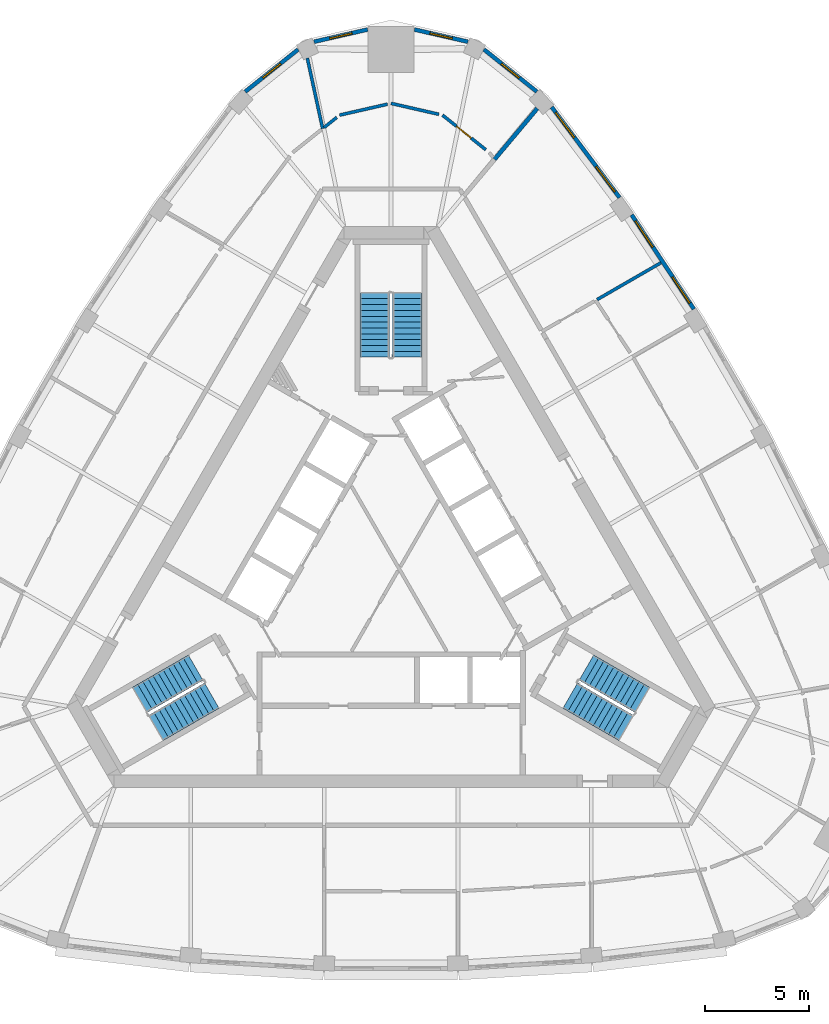
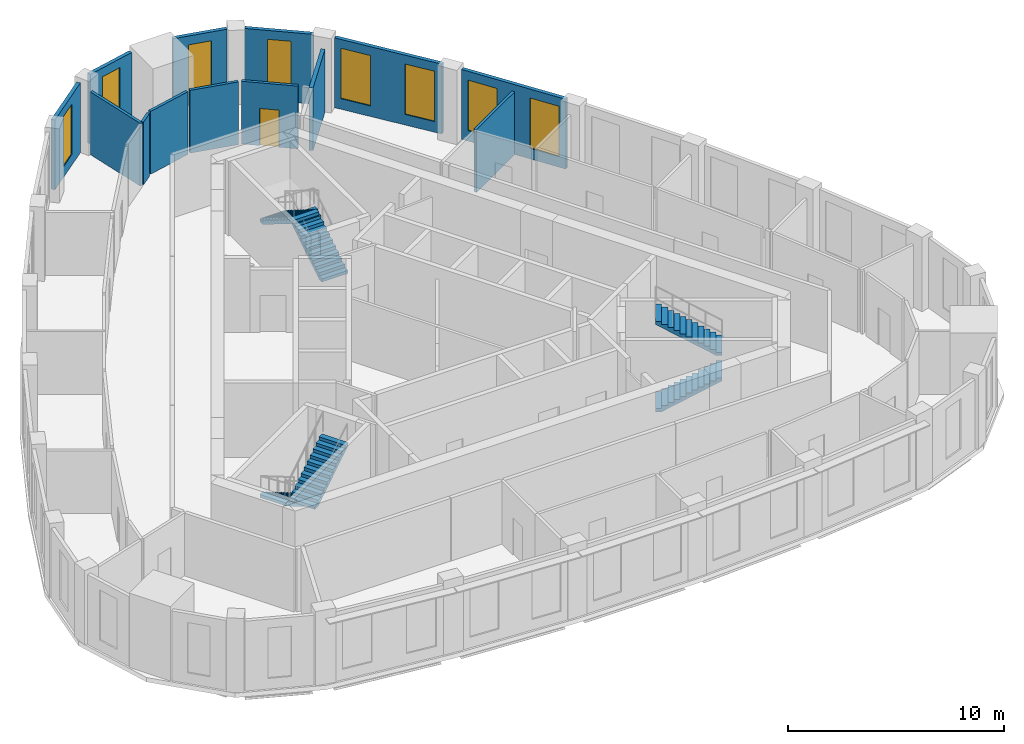
# One storey, part 9 of 10: 13 walls, 8 windows, 6 stair flights, 1 door, 9 openings, 3 elements without a shape of their own.
"""IFC4 building model written with IfcOpenShell, lengths in metres."""

from ifc_helpers import new_model, si_unit, direction, frame, frame_2d, origin, place, context, subcontext, project, spatial, polyline, rectangle, outline, extrude, material, layer, layer_set, type_object, element, fill, aggregate, save


model = new_model("IFC4")

# Units and contexts
model_context = context("Model", 3, precision=1e-05, world=origin(), true_north=direction((0.0, 1.0)))
body_context = subcontext(model_context, "Body", "Model", "MODEL_VIEW")
ifc_project = project(units=[si_unit("LENGTHUNIT", "METRE"), si_unit("AREAUNIT", "SQUARE_METRE"), si_unit("VOLUMEUNIT", "CUBIC_METRE"), si_unit("PLANEANGLEUNIT", "RADIAN"), si_unit("MASSUNIT", "GRAM", prefix="KILO")], contexts=[model_context])

# Site, building, storey
site_placement = place(None, origin())
site = spatial("IfcSite", under=ifc_project, at=site_placement, CompositionType="ELEMENT")
building_placement = place(site_placement, origin())
building = spatial("IfcBuilding", under=site, at=building_placement, Name="Mestral Congress Tower", CompositionType="ELEMENT")
storey_placement = place(building_placement, frame((0.0, 0.0, 275.39990234375)))
storey = spatial("IfcBuildingStorey", under=building, at=storey_placement, Name="L64", CompositionType="ELEMENT", Elevation=275.39990234375)

# Wall, openings, windows
ifc_material_1 = material(Name="Precast concrete C40/50 with limestone facing", Category="masonry")
ifc_layer_1 = layer(ifc_material_1, 0.18994140625)
ifc_layer_set_1 = layer_set([ifc_layer_1], Name="Precast concrete C40/50 with limestone facing")
wall_type_1 = type_object("IfcWallType", Name="Facade stone wall 190", PredefinedType="SOLIDWALL", material=ifc_layer_set_1)
wall_1_placement = place(storey_placement, frame((14.49560546875, 12.6533203125, 0.0), z_axis=(0.0, 0.0, 1.0), x_axis=(-0.550744054781, 0.83467417962, 0.0)))
wall_1 = element("IfcWall", 1, at=wall_1_placement, inside=storey, type_object=wall_type_1, Name="Facade wall F1-03", PredefinedType="SOLIDWALL", context=body_context, shape_type="SweptSolid", body=[
    extrude(rectangle(XDim=5.406005859375, YDim=0.18994140625, at=frame_2d((2.703125, 0.0))), origin(), (0.0, 0.0, 1.0), 3.9501953125),
])
opening_1_placement = place(wall_1_placement, frame((0.346435546875, 0.0, 0.60009765625)))
opening_1 = element("IfcOpeningElement", 2, at=opening_1_placement, cuts=wall_1, Name="Opening W6", PredefinedType="OPENING", context=body_context, shape_type="SweptSolid", body=[
    extrude(rectangle(XDim=1.5, YDim=2.85009765625, at=frame_2d((0.75, 1.425048828125))), frame((0.0, 0.10498046875, 0.0), z_axis=(0.0, -1.0, 0.0), x_axis=(1.0, 0.0, 0.0)), (0.0, 0.0, 1.0), 0.2099609375),
])
opening_2_placement = place(wall_1_placement, frame((3.559326171875, 0.0, 0.60009765625)))
opening_2 = element("IfcOpeningElement", 3, at=opening_2_placement, cuts=wall_1, Name="Opening W6", PredefinedType="OPENING", context=body_context, shape_type="SweptSolid", body=[
    extrude(rectangle(XDim=1.5, YDim=2.85009765625, at=frame_2d((0.75, 1.425048828125))), frame((0.0, 0.10498046875, 0.0), z_axis=(0.0, -1.0, 0.0), x_axis=(1.0, 0.0, 0.0)), (0.0, 0.0, 1.0), 0.2099609375),
])
ifc_material_2 = material(Name="Clear low-emissivity double glazing", Category="glass")
window_type_1 = type_object("IfcWindowType", Name="Facade punched window 1500 x 2850 sill 600", PartitioningType="SINGLE_PANEL", PredefinedType="WINDOW", material=ifc_material_2)
window_1_placement = place(opening_1_placement, origin())
window_1 = element("IfcWindow", 4, at=window_1_placement, inside=storey, type_object=window_type_1, Name="Window F1-03a", OverallHeight=2.85009765625, OverallWidth=1.5, PartitioningType="SINGLE_PANEL", PredefinedType="WINDOW", context=body_context, shape_type="SweptSolid", body=[
    extrude(rectangle(XDim=1.5, YDim=2.85009765625, at=frame_2d((0.75, 1.425048828125))), frame((0.0, 0.044921875, 0.0), z_axis=(0.0, -1.0, 0.0), x_axis=(1.0, 0.0, 0.0)), (0.0, 0.0, 1.0), 0.06005859375),
])
fill(opening_1, window_1)
window_2_placement = place(opening_2_placement, origin())
window_2 = element("IfcWindow", 5, at=window_2_placement, inside=storey, type_object=window_type_1, Name="Window F1-03b", OverallHeight=2.85009765625, OverallWidth=1.5, PartitioningType="SINGLE_PANEL", PredefinedType="WINDOW", context=body_context, shape_type="SweptSolid", body=[
    extrude(rectangle(XDim=1.5, YDim=2.85009765625, at=frame_2d((0.75, 1.425048828125))), frame((0.0, 0.044921875, 0.0), z_axis=(0.0, -1.0, 0.0), x_axis=(1.0, 0.0, 0.0)), (0.0, 0.0, 1.0), 0.06005859375),
])
fill(opening_2, window_2)

wall_2_placement = place(storey_placement, frame((10.938232421875, 17.989990234375, 0.0), z_axis=(0.0, 0.0, 1.0), x_axis=(-0.599559865294, 0.800329911929, 0.0)))
wall_2 = element("IfcWall", 6, at=wall_2_placement, inside=storey, type_object=wall_type_1, Name="Facade wall F1-04", PredefinedType="SOLIDWALL", context=body_context, shape_type="SweptSolid", body=[
    extrude(rectangle(XDim=5.4150390625, YDim=0.18994140625, at=frame_2d((2.70751953125, 0.0))), origin(), (0.0, 0.0, 1.0), 3.9501953125),
])
opening_3_placement = place(wall_2_placement, frame((0.357666015625, 0.0, 0.60009765625)))
opening_3 = element("IfcOpeningElement", 7, at=opening_3_placement, cuts=wall_2, Name="Opening W6", PredefinedType="OPENING", context=body_context, shape_type="SweptSolid", body=[
    extrude(rectangle(XDim=1.5, YDim=2.85009765625, at=frame_2d((0.75, 1.425048828125))), frame((0.0, 0.10498046875, 0.0), z_axis=(0.0, -1.0, 0.0), x_axis=(1.0, 0.0, 0.0)), (0.0, 0.0, 1.0), 0.2099609375),
])
opening_4_placement = place(wall_2_placement, frame((3.592529296875, 0.0, 0.60009765625)))
opening_4 = element("IfcOpeningElement", 8, at=opening_4_placement, cuts=wall_2, Name="Opening W6", PredefinedType="OPENING", context=body_context, shape_type="SweptSolid", body=[
    extrude(rectangle(XDim=1.5, YDim=2.85009765625, at=frame_2d((0.75, 1.425048828125))), frame((0.0, 0.10498046875, 0.0), z_axis=(0.0, -1.0, 0.0), x_axis=(1.0, 0.0, 0.0)), (0.0, 0.0, 1.0), 0.2099609375),
])
window_3_placement = place(opening_3_placement, origin())
window_3 = element("IfcWindow", 9, at=window_3_placement, inside=storey, type_object=window_type_1, Name="Window F1-04a", OverallHeight=2.85009765625, OverallWidth=1.5, PartitioningType="SINGLE_PANEL", PredefinedType="WINDOW", context=body_context, shape_type="SweptSolid", body=[
    extrude(rectangle(XDim=1.5, YDim=2.85009765625, at=frame_2d((0.75, 1.425048828125))), frame((0.0, 0.044921875, 0.0), z_axis=(0.0, -1.0, 0.0), x_axis=(1.0, 0.0, 0.0)), (0.0, 0.0, 1.0), 0.06005859375),
])
fill(opening_3, window_3)
window_4_placement = place(opening_4_placement, origin())
window_4 = element("IfcWindow", 10, at=window_4_placement, inside=storey, type_object=window_type_1, Name="Window F1-04b", OverallHeight=2.85009765625, OverallWidth=1.5, PartitioningType="SINGLE_PANEL", PredefinedType="WINDOW", context=body_context, shape_type="SweptSolid", body=[
    extrude(rectangle(XDim=1.5, YDim=2.85009765625, at=frame_2d((0.75, 1.425048828125))), frame((0.0, 0.044921875, 0.0), z_axis=(0.0, -1.0, 0.0), x_axis=(1.0, 0.0, 0.0)), (0.0, 0.0, 1.0), 0.06005859375),
])
fill(opening_4, window_4)

# Wall, opening, window
wall_3_placement = place(storey_placement, frame((6.977294921875, 23.061279296875, 0.0), z_axis=(0.0, 0.0, 1.0), x_axis=(-0.781626234064, 0.623747088349, 0.0)))
wall_3 = element("IfcWall", 11, at=wall_3_placement, inside=storey, type_object=wall_type_1, Name="Facade wall K1-0", PredefinedType="SOLIDWALL", context=body_context, shape_type="SweptSolid", body=[
    extrude(rectangle(XDim=3.236572265625, YDim=0.18994140625, at=frame_2d((1.6181640625, 0.0))), origin(), (0.0, 0.0, 1.0), 3.9501953125),
])
opening_5_placement = place(wall_3_placement, frame((1.068359375, 0.0, 0.60009765625)))
opening_5 = element("IfcOpeningElement", 12, at=opening_5_placement, cuts=wall_3, Name="Opening W7", PredefinedType="OPENING", context=body_context, shape_type="SweptSolid", body=[
    extrude(rectangle(XDim=1.10009765625, YDim=2.85009765625, at=frame_2d((0.550048828125, 1.425048828125))), frame((0.0, 0.10498046875, 0.0), z_axis=(0.0, -1.0, 0.0), x_axis=(1.0, 0.0, 0.0)), (0.0, 0.0, 1.0), 0.2099609375),
])
window_type_2 = type_object("IfcWindowType", Name="Facade punched window 1100 x 2850 sill 600", PartitioningType="SINGLE_PANEL", PredefinedType="WINDOW", material=ifc_material_2)
window_5_placement = place(opening_5_placement, origin())
window_5 = element("IfcWindow", 13, at=window_5_placement, inside=storey, type_object=window_type_2, Name="Window K1-0", OverallHeight=2.85009765625, OverallWidth=1.10009765625, PartitioningType="SINGLE_PANEL", PredefinedType="WINDOW", context=body_context, shape_type="SweptSolid", body=[
    extrude(rectangle(XDim=1.10009765625, YDim=2.85009765625, at=frame_2d((0.550048828125, 1.425048828125))), frame((0.0, 0.044921875, 0.0), z_axis=(0.0, -1.0, 0.0), x_axis=(1.0, 0.0, 0.0)), (0.0, 0.0, 1.0), 0.06005859375),
])
fill(opening_5, window_5)

wall_4_placement = place(storey_placement, frame((3.6826171875, 25.44873046875, 0.0), z_axis=(0.0, 0.0, 1.0), x_axis=(-0.974913273386, 0.222585060988, 0.0)))
wall_4 = element("IfcWall", 14, at=wall_4_placement, inside=storey, type_object=wall_type_1, Name="Facade wall K1-1", PredefinedType="SOLIDWALL", context=body_context, shape_type="SweptSolid", body=[
    extrude(rectangle(XDim=2.626953125, YDim=0.18994140625, at=frame_2d((1.3134765625, 0.0))), origin(), (0.0, 0.0, 1.0), 3.9501953125),
])
opening_6_placement = place(wall_4_placement, frame((0.763427734375, 0.0, 0.60009765625)))
opening_6 = element("IfcOpeningElement", 15, at=opening_6_placement, cuts=wall_4, Name="Opening W7", PredefinedType="OPENING", context=body_context, shape_type="SweptSolid", body=[
    extrude(rectangle(XDim=1.10009765625, YDim=2.85009765625, at=frame_2d((0.550048828125, 1.425048828125))), frame((0.0, 0.10498046875, 0.0), z_axis=(0.0, -1.0, 0.0), x_axis=(1.0, 0.0, 0.0)), (0.0, 0.0, 1.0), 0.2099609375),
])
window_6_placement = place(opening_6_placement, origin())
window_6 = element("IfcWindow", 16, at=window_6_placement, inside=storey, type_object=window_type_2, Name="Window K1-1", OverallHeight=2.85009765625, OverallWidth=1.10009765625, PartitioningType="SINGLE_PANEL", PredefinedType="WINDOW", context=body_context, shape_type="SweptSolid", body=[
    extrude(rectangle(XDim=1.10009765625, YDim=2.85009765625, at=frame_2d((0.550048828125, 1.425048828125))), frame((0.0, 0.044921875, 0.0), z_axis=(0.0, -1.0, 0.0), x_axis=(1.0, 0.0, 0.0)), (0.0, 0.0, 1.0), 0.06005859375),
])
fill(opening_6, window_6)

wall_5_placement = place(storey_placement, frame((-1.12158203125, 26.033447265625, 0.0), z_axis=(0.0, 0.0, 1.0), x_axis=(-0.974913273386, -0.222585060988, 0.0)))
wall_5 = element("IfcWall", 17, at=wall_5_placement, inside=storey, type_object=wall_type_1, Name="Facade wall K1-2", PredefinedType="SOLIDWALL", context=body_context, shape_type="SweptSolid", body=[
    extrude(rectangle(XDim=2.626953125, YDim=0.18994140625, at=frame_2d((1.3134765625, 0.0))), origin(), (0.0, 0.0, 1.0), 3.9501953125),
])
opening_7_placement = place(wall_5_placement, frame((0.763427734375, 0.0, 0.60009765625)))
opening_7 = element("IfcOpeningElement", 18, at=opening_7_placement, cuts=wall_5, Name="Opening W7", PredefinedType="OPENING", context=body_context, shape_type="SweptSolid", body=[
    extrude(rectangle(XDim=1.10009765625, YDim=2.85009765625, at=frame_2d((0.550048828125, 1.425048828125))), frame((0.0, 0.10498046875, 0.0), z_axis=(0.0, -1.0, 0.0), x_axis=(1.0, 0.0, 0.0)), (0.0, 0.0, 1.0), 0.2099609375),
])
window_7_placement = place(opening_7_placement, origin())
window_7 = element("IfcWindow", 19, at=window_7_placement, inside=storey, type_object=window_type_2, Name="Window K1-2", OverallHeight=2.85009765625, OverallWidth=1.10009765625, PartitioningType="SINGLE_PANEL", PredefinedType="WINDOW", context=body_context, shape_type="SweptSolid", body=[
    extrude(rectangle(XDim=1.10009765625, YDim=2.85009765625, at=frame_2d((0.550048828125, 1.425048828125))), frame((0.0, 0.044921875, 0.0), z_axis=(0.0, -1.0, 0.0), x_axis=(1.0, 0.0, 0.0)), (0.0, 0.0, 1.0), 0.06005859375),
])
fill(opening_7, window_7)

wall_6_placement = place(storey_placement, frame((-4.447509765625, 25.080078125, 0.0), z_axis=(0.0, 0.0, 1.0), x_axis=(-0.781626234064, -0.623747088349, 0.0)))
wall_6 = element("IfcWall", 20, at=wall_6_placement, inside=storey, type_object=wall_type_1, Name="Facade wall K1-3", PredefinedType="SOLIDWALL", context=body_context, shape_type="SweptSolid", body=[
    extrude(rectangle(XDim=3.236572265625, YDim=0.18994140625, at=frame_2d((1.6181640625, 0.0))), origin(), (0.0, 0.0, 1.0), 3.9501953125),
])
opening_8_placement = place(wall_6_placement, frame((1.068359375, 0.0, 0.60009765625)))
opening_8 = element("IfcOpeningElement", 21, at=opening_8_placement, cuts=wall_6, Name="Opening W7", PredefinedType="OPENING", context=body_context, shape_type="SweptSolid", body=[
    extrude(rectangle(XDim=1.10009765625, YDim=2.85009765625, at=frame_2d((0.550048828125, 1.425048828125))), frame((0.0, 0.10498046875, 0.0), z_axis=(0.0, -1.0, 0.0), x_axis=(1.0, 0.0, 0.0)), (0.0, 0.0, 1.0), 0.2099609375),
])
window_8_placement = place(opening_8_placement, origin())
window_8 = element("IfcWindow", 22, at=window_8_placement, inside=storey, type_object=window_type_2, Name="Window K1-3", OverallHeight=2.85009765625, OverallWidth=1.10009765625, PartitioningType="SINGLE_PANEL", PredefinedType="WINDOW", context=body_context, shape_type="SweptSolid", body=[
    extrude(rectangle(XDim=1.10009765625, YDim=2.85009765625, at=frame_2d((0.550048828125, 1.425048828125))), frame((0.0, 0.044921875, 0.0), z_axis=(0.0, -1.0, 0.0), x_axis=(1.0, 0.0, 0.0)), (0.0, 0.0, 1.0), 0.06005859375),
])
fill(opening_8, window_8)

# Walls
ifc_material_3 = material(Name="Plasterboard partition on steel studs", Category="steel")
ifc_layer_2 = layer(ifc_material_3, 0.14990234375)
ifc_layer_set_2 = layer_set([ifc_layer_2], Name="Plasterboard partition on steel studs")
wall_type_2 = type_object("IfcWallType", Name="Office partition 150", PredefinedType="PARTITIONING", material=ifc_layer_set_2)
wall_7_placement = place(storey_placement, frame((9.85986328125, 13.10595703125, 0.0), z_axis=(0.0, 0.0, 1.0), x_axis=(0.866022094817, 0.500005731256, 0.0)))
element("IfcWall", 23, at=wall_7_placement, inside=storey, type_object=wall_type_2, Name="Partition", PredefinedType="PARTITIONING", context=body_context, shape_type="SweptSolid", body=[
    extrude(rectangle(XDim=3.53125, YDim=0.14990234375, at=frame_2d((1.765625, 0.0))), origin(), (0.0, 0.0, 1.0), 3.550048828125),
])
wall_8_placement = place(storey_placement, frame((-3.271728515625, 21.291015625, 0.0), z_axis=(0.0, 0.0, 1.0), x_axis=(-0.212467791623, 0.977168070254, 0.0)))
element("IfcWall", 24, at=wall_8_placement, inside=storey, type_object=wall_type_2, Name="Partition", PredefinedType="PARTITIONING", context=body_context, shape_type="SweptSolid", body=[
    extrude(rectangle(XDim=3.4541015625, YDim=0.14990234375, at=frame_2d((1.72705078125, 0.0))), origin(), (0.0, 0.0, 1.0), 3.550048828125),
])

# Wall, opening, door
wall_9_placement = place(storey_placement, frame((2.4619140625, 21.937255859375, 0.0), z_axis=(0.0, 0.0, 1.0), x_axis=(0.781630346222, -0.62374193531, 0.0)))
wall_9 = element("IfcWall", 25, at=wall_9_placement, inside=storey, type_object=wall_type_2, Name="Partition", PredefinedType="PARTITIONING", context=body_context, shape_type="SweptSolid", body=[
    extrude(rectangle(XDim=2.656494140625, YDim=0.14990234375, at=frame_2d((1.328125, 0.0))), origin(), (0.0, 0.0, 1.0), 3.550048828125),
])
opening_9_placement = place(wall_9_placement, frame((0.856689453125, 0.0, 0.0)))
opening_9 = element("IfcOpeningElement", 26, at=opening_9_placement, cuts=wall_9, Name="Opening O11-013", PredefinedType="OPENING", context=body_context, shape_type="SweptSolid", body=[
    extrude(rectangle(XDim=0.89990234375, YDim=2.10009765625, at=frame_2d((0.449951171875, 1.050048828125))), frame((0.0, 0.0849609375, 0.0), z_axis=(0.0, -1.0, 0.0), x_axis=(1.0, 0.0, 0.0)), (0.0, 0.0, 1.0), 0.169921875),
])
ifc_material_4 = material(Name="Timber door set", Category="wood")
door_type = type_object("IfcDoorType", Name="Office door 900x2100", OperationType="SINGLE_SWING_LEFT", PredefinedType="DOOR", material=ifc_material_4)
door_placement = place(opening_9_placement, origin())
door = element("IfcDoor", 27, at=door_placement, inside=storey, type_object=door_type, Name="Door O11-013", OperationType="SINGLE_SWING_LEFT", OverallHeight=2.10009765625, OverallWidth=0.89990234375, PredefinedType="DOOR", context=body_context, shape_type="SweptSolid", body=[
    extrude(rectangle(XDim=0.89990234375, YDim=2.10009765625, at=frame_2d((0.449951171875, 1.050048828125))), frame((0.0, 0.02490234375, 0.0), z_axis=(0.0, -1.0, 0.0), x_axis=(1.0, 0.0, 0.0)), (0.0, 0.0, 1.0), 0.050048828125),
])
fill(opening_9, door)

# Walls
for number, where, z_axis, x_axis, name in (
    (28, (2.29345703125, 21.975830078125, 0.0), (0.0, 0.0, 1.0), (-0.974908077769, 0.222607816352, 0.0), "Partition"),
    (29, (-0.16845703125, 22.461181640625, 0.0), (0.0, 0.0, 1.0), (-0.974885550769, -0.222706450069, 0.0), "Partition"),
):
    element("IfcWall", number, at=place(storey_placement, frame(where, z_axis=z_axis, x_axis=x_axis)), inside=storey, type_object=wall_type_2, Name=name, PredefinedType="PARTITIONING", context=body_context, shape_type="SweptSolid", body=[
        extrude(rectangle(XDim=2.3525390625, YDim=0.14990234375, at=frame_2d((1.17626953125, 0.0))), origin(), (0.0, 0.0, 1.0), 3.550048828125),
    ])
wall_10_placement = place(storey_placement, frame((-2.596923828125, 21.82958984375, 0.0), z_axis=(0.0, 0.0, 1.0), x_axis=(-0.781601481229, -0.623778105211, 0.0)))
element("IfcWall", 30, at=wall_10_placement, inside=storey, type_object=wall_type_2, Name="Partition", PredefinedType="PARTITIONING", context=body_context, shape_type="SweptSolid", body=[
    extrude(rectangle(XDim=0.779541015625, YDim=0.14990234375, at=frame_2d((0.3896484375, 0.0))), origin(), (0.0, 0.0, 1.0), 3.550048828125),
])
ifc_material_5 = material(Name="Dense masonry wall, plastered", Category="masonry")
ifc_layer_3 = layer(ifc_material_5, 0.199951171875)
ifc_layer_set_3 = layer_set([ifc_layer_3], Name="Dense masonry wall, plastered")
wall_type_3 = type_object("IfcWallType", Name="Office tenancy wall 200", PredefinedType="PARTITIONING", material=ifc_layer_set_3)
wall_11_placement = place(storey_placement, frame((4.949951171875, 19.814208984375, 0.0), z_axis=(0.0, 0.0, 1.0), x_axis=(0.642981953866, 0.765881326971, 0.0)))
element("IfcWall", 31, at=wall_11_placement, inside=storey, type_object=wall_type_3, Name="Tenancy wall", PredefinedType="PARTITIONING", context=body_context, shape_type="SweptSolid", body=[
    extrude(rectangle(XDim=3.188232421875, YDim=0.199951171875, at=frame_2d((1.59423828125, 0.0))), origin(), (0.0, 0.0, 1.0), 3.550048828125),
])

# Stair, stair flights
ifc_material_6 = material(Name="Concrete C60/75", Category="concrete")
stair_type = type_object("IfcStairType", Name="Exit stair 1400", PredefinedType="HALF_TURN_STAIR", material=ifc_material_6)
placement = place(storey_placement, origin())
stair_1 = element("IfcStair", 32, at=placement, inside=storey, type_object=stair_type, Name="L64 ST1", PredefinedType="HALF_TURN_STAIR")
stair_flight_type = type_object("IfcStairFlightType", Name="Exit stair flight 1400", PredefinedType="STRAIGHT", material=ifc_material_6)
stair_flight_1_placement = place(storey_placement, frame((8.575927734375, -5.84619140625, 0.0), z_axis=(0.0, 0.0, 1.0), x_axis=(0.866025403784, -0.5, 0.0)))
stair_flight_1 = element("IfcStairFlight", 33, at=stair_flight_1_placement, type_object=stair_flight_type, Name="ST1 flight 1", NumberOfRisers=12, NumberOfTreads=11, PredefinedType="STRAIGHT", RiserHeight=0.175, TreadLength=0.28, context=body_context, shape_type="SweptSolid", body=[
    extrude(outline(polyline([(0.0, 0.0), (0.0, 0.175048828125), (0.280029296875, 0.175048828125), (0.280029296875, 0.35009765625), (0.56005859375, 0.35009765625), (0.56005859375, 0.52490234375), (0.840087890625, 0.52490234375), (0.840087890625, 0.699951171875), (1.1201171875, 0.699951171875), (1.1201171875, 0.875), (1.39990234375, 0.875), (1.39990234375, 1.050048828125), (1.679931640625, 1.050048828125), (1.679931640625, 1.22509765625), (1.9599609375, 1.22509765625), (1.9599609375, 1.39990234375), (2.239990234375, 1.39990234375), (2.239990234375, 1.574951171875), (2.52001953125, 1.574951171875), (2.52001953125, 1.75), (2.800048828125, 1.75), (2.800048828125, 1.925048828125), (3.080078125, 1.925048828125), (3.080078125, 2.10009765625), (3.080078125, 1.748291015625), (0.28271484375, 0.0), (0.0, 0.0)])), frame((0.0, 0.699951171875, 0.0), z_axis=(0.0, -1.0, 0.0), x_axis=(1.0, 0.0, 0.0)), (0.0, 0.0, 1.0), 1.39990234375),
])
stair_flight_2_placement = place(storey_placement, frame((12.018310546875, -6.0439453125, 2.10009765625), z_axis=(0.0, 0.0, 1.0), x_axis=(-0.866025403784, 0.5, 0.0)))
stair_flight_2 = element("IfcStairFlight", 34, at=stair_flight_2_placement, type_object=stair_flight_type, Name="ST1 flight 2", NumberOfRisers=12, NumberOfTreads=11, PredefinedType="STRAIGHT", RiserHeight=0.175, TreadLength=0.28, context=body_context, shape_type="SweptSolid", body=[
    extrude(outline(polyline([(0.0, 0.0), (0.0, 0.175048828125), (0.280029296875, 0.175048828125), (0.280029296875, 0.35009765625), (0.56005859375, 0.35009765625), (0.56005859375, 0.52490234375), (0.840087890625, 0.52490234375), (0.840087890625, 0.699951171875), (1.1201171875, 0.699951171875), (1.1201171875, 0.875), (1.39990234375, 0.875), (1.39990234375, 1.050048828125), (1.679931640625, 1.050048828125), (1.679931640625, 1.22509765625), (1.9599609375, 1.22509765625), (1.9599609375, 1.39990234375), (2.239990234375, 1.39990234375), (2.239990234375, 1.574951171875), (2.52001953125, 1.574951171875), (2.52001953125, 1.75), (2.800048828125, 1.75), (2.800048828125, 1.925048828125), (3.080078125, 1.925048828125), (3.080078125, 2.10009765625), (3.080078125, 1.748291015625), (0.28271484375, 0.0), (0.0, 0.0)])), frame((0.0, 0.699951171875, 0.0), z_axis=(0.0, -1.0, 0.0), x_axis=(1.0, 0.0, 0.0)), (0.0, 0.0, 1.0), 1.39990234375),
])
aggregate(stair_1, [stair_flight_1, stair_flight_2])

stair_2 = element("IfcStair", 35, at=placement, inside=storey, type_object=stair_type, Name="L64 ST2", PredefinedType="HALF_TURN_STAIR")
stair_flight_3_placement = place(storey_placement, frame((0.77490234375, 10.35009765625, 0.0), z_axis=(0.0, 0.0, 1.0), x_axis=(0.0, 1.0, 0.0)))
stair_flight_3 = element("IfcStairFlight", 36, at=stair_flight_3_placement, type_object=stair_flight_type, Name="ST2 flight 1", NumberOfRisers=12, NumberOfTreads=11, PredefinedType="STRAIGHT", RiserHeight=0.175, TreadLength=0.28, context=body_context, shape_type="SweptSolid", body=[
    extrude(outline(polyline([(0.0, 0.0), (0.0, 0.175048828125), (0.280029296875, 0.175048828125), (0.280029296875, 0.35009765625), (0.56005859375, 0.35009765625), (0.56005859375, 0.52490234375), (0.840087890625, 0.52490234375), (0.840087890625, 0.699951171875), (1.1201171875, 0.699951171875), (1.1201171875, 0.875), (1.39990234375, 0.875), (1.39990234375, 1.050048828125), (1.679931640625, 1.050048828125), (1.679931640625, 1.22509765625), (1.9599609375, 1.22509765625), (1.9599609375, 1.39990234375), (2.239990234375, 1.39990234375), (2.239990234375, 1.574951171875), (2.52001953125, 1.574951171875), (2.52001953125, 1.75), (2.800048828125, 1.75), (2.800048828125, 1.925048828125), (3.080078125, 1.925048828125), (3.080078125, 2.10009765625), (3.080078125, 1.748291015625), (0.28271484375, 0.0), (0.0, 0.0)])), frame((0.0, 0.699951171875, 0.0), z_axis=(0.0, -1.0, 0.0), x_axis=(1.0, 0.0, 0.0)), (0.0, 0.0, 1.0), 1.39990234375),
])
stair_flight_4_placement = place(storey_placement, frame((-0.77490234375, 13.429931640625, 2.10009765625), z_axis=(0.0, 0.0, 1.0), x_axis=(0.0, -1.0, 0.0)))
stair_flight_4 = element("IfcStairFlight", 37, at=stair_flight_4_placement, type_object=stair_flight_type, Name="ST2 flight 2", NumberOfRisers=12, NumberOfTreads=11, PredefinedType="STRAIGHT", RiserHeight=0.175, TreadLength=0.28, context=body_context, shape_type="SweptSolid", body=[
    extrude(outline(polyline([(0.0, 0.0), (0.0, 0.175048828125), (0.280029296875, 0.175048828125), (0.280029296875, 0.35009765625), (0.56005859375, 0.35009765625), (0.56005859375, 0.52490234375), (0.840087890625, 0.52490234375), (0.840087890625, 0.699951171875), (1.1201171875, 0.699951171875), (1.1201171875, 0.875), (1.39990234375, 0.875), (1.39990234375, 1.050048828125), (1.679931640625, 1.050048828125), (1.679931640625, 1.22509765625), (1.9599609375, 1.22509765625), (1.9599609375, 1.39990234375), (2.239990234375, 1.39990234375), (2.239990234375, 1.574951171875), (2.52001953125, 1.574951171875), (2.52001953125, 1.75), (2.800048828125, 1.75), (2.800048828125, 1.925048828125), (3.080078125, 1.925048828125), (3.080078125, 2.10009765625), (3.080078125, 1.748291015625), (0.28271484375, 0.0), (0.0, 0.0)])), frame((0.0, 0.699951171875, 0.0), z_axis=(0.0, -1.0, 0.0), x_axis=(1.0, 0.0, 0.0)), (0.0, 0.0, 1.0), 1.39990234375),
])
aggregate(stair_2, [stair_flight_3, stair_flight_4])

stair_3 = element("IfcStair", 38, at=placement, inside=storey, type_object=stair_type, Name="L64 ST3", PredefinedType="HALF_TURN_STAIR")
stair_flight_5_placement = place(storey_placement, frame((-9.350830078125, -4.50390625, 0.0), z_axis=(0.0, 0.0, 1.0), x_axis=(-0.866025403784, -0.5, 0.0)))
stair_flight_5 = element("IfcStairFlight", 39, at=stair_flight_5_placement, type_object=stair_flight_type, Name="ST3 flight 1", NumberOfRisers=12, NumberOfTreads=11, PredefinedType="STRAIGHT", RiserHeight=0.175, TreadLength=0.28, context=body_context, shape_type="SweptSolid", body=[
    extrude(outline(polyline([(0.0, 0.0), (0.0, 0.175048828125), (0.280029296875, 0.175048828125), (0.280029296875, 0.35009765625), (0.56005859375, 0.35009765625), (0.56005859375, 0.52490234375), (0.840087890625, 0.52490234375), (0.840087890625, 0.699951171875), (1.1201171875, 0.699951171875), (1.1201171875, 0.875), (1.39990234375, 0.875), (1.39990234375, 1.050048828125), (1.679931640625, 1.050048828125), (1.679931640625, 1.22509765625), (1.9599609375, 1.22509765625), (1.9599609375, 1.39990234375), (2.239990234375, 1.39990234375), (2.239990234375, 1.574951171875), (2.52001953125, 1.574951171875), (2.52001953125, 1.75), (2.800048828125, 1.75), (2.800048828125, 1.925048828125), (3.080078125, 1.925048828125), (3.080078125, 2.10009765625), (3.080078125, 1.748291015625), (0.28271484375, 0.0), (0.0, 0.0)])), frame((0.0, 0.699951171875, 0.0), z_axis=(0.0, -1.0, 0.0), x_axis=(1.0, 0.0, 0.0)), (0.0, 0.0, 1.0), 1.39990234375),
])
stair_flight_6_placement = place(storey_placement, frame((-11.2431640625, -7.38623046875, 2.10009765625), z_axis=(0.0, 0.0, 1.0), x_axis=(0.866025403784, 0.5, 0.0)))
stair_flight_6 = element("IfcStairFlight", 40, at=stair_flight_6_placement, type_object=stair_flight_type, Name="ST3 flight 2", NumberOfRisers=12, NumberOfTreads=11, PredefinedType="STRAIGHT", RiserHeight=0.175, TreadLength=0.28, context=body_context, shape_type="SweptSolid", body=[
    extrude(outline(polyline([(0.0, 0.0), (0.0, 0.175048828125), (0.280029296875, 0.175048828125), (0.280029296875, 0.35009765625), (0.56005859375, 0.35009765625), (0.56005859375, 0.52490234375), (0.840087890625, 0.52490234375), (0.840087890625, 0.699951171875), (1.1201171875, 0.699951171875), (1.1201171875, 0.875), (1.39990234375, 0.875), (1.39990234375, 1.050048828125), (1.679931640625, 1.050048828125), (1.679931640625, 1.22509765625), (1.9599609375, 1.22509765625), (1.9599609375, 1.39990234375), (2.239990234375, 1.39990234375), (2.239990234375, 1.574951171875), (2.52001953125, 1.574951171875), (2.52001953125, 1.75), (2.800048828125, 1.75), (2.800048828125, 1.925048828125), (3.080078125, 1.925048828125), (3.080078125, 2.10009765625), (3.080078125, 1.748291015625), (0.28271484375, 0.0), (0.0, 0.0)])), frame((0.0, 0.699951171875, 0.0), z_axis=(0.0, -1.0, 0.0), x_axis=(1.0, 0.0, 0.0)), (0.0, 0.0, 1.0), 1.39990234375),
])
aggregate(stair_3, [stair_flight_5, stair_flight_6])

save(model, "model.ifc")
